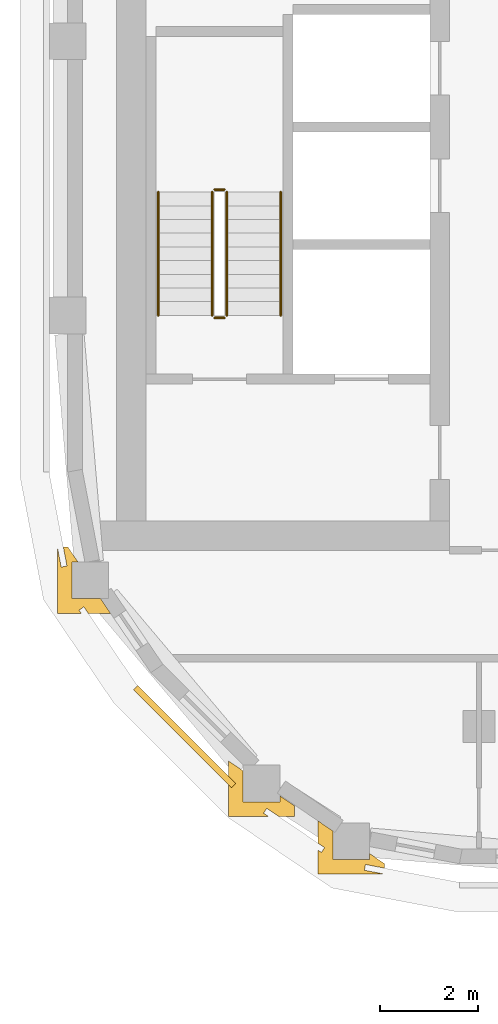
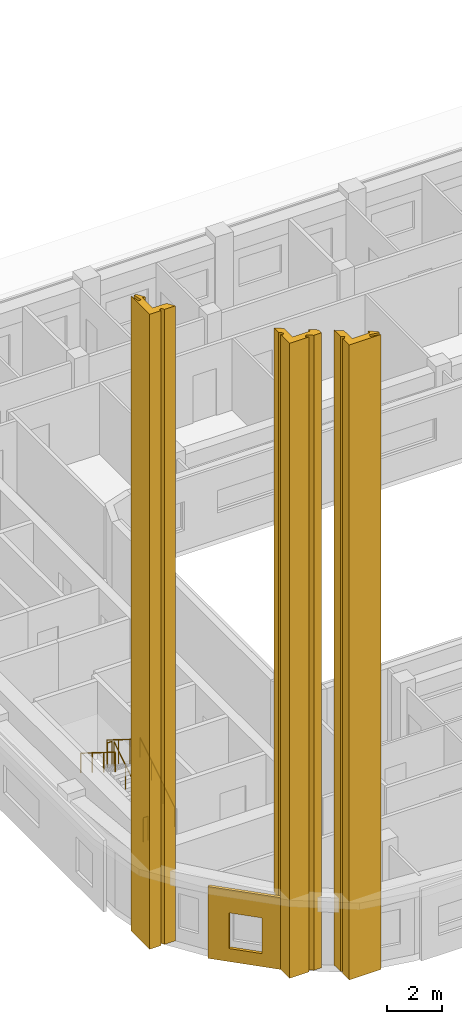
# One storey, part 9 of 15: 6 railings, 4 coverings.
"""IFC4 building model written with IfcOpenShell, lengths in metres."""

from ifc_helpers import new_model, si_unit, direction, frame, origin, origin_2d, place, context, subcontext, project, spatial, polyline, circle, outline, extrude, material, layer, layer_set, type_object, element, save


model = new_model("IFC4")

# Units and contexts
model_context = context("Model", 3, precision=1e-05, world=origin(), true_north=direction((0.0, 1.0)))
body_context = subcontext(model_context, "Body", "Model", "MODEL_VIEW")
ifc_project = project(units=[si_unit("LENGTHUNIT", "METRE"), si_unit("AREAUNIT", "SQUARE_METRE"), si_unit("VOLUMEUNIT", "CUBIC_METRE"), si_unit("PLANEANGLEUNIT", "RADIAN"), si_unit("MASSUNIT", "GRAM", prefix="KILO")], contexts=[model_context])

# Site, building, storey
site_placement = place(None, origin())
site = spatial("IfcSite", under=ifc_project, at=site_placement, CompositionType="ELEMENT")
building_placement = place(site_placement, origin())
building = spatial("IfcBuilding", under=site, at=building_placement, Name="Kiln Ring Residences", CompositionType="ELEMENT")
storey_placement = place(building_placement, frame((0.0, 0.0, 266.199951171875)))
storey = spatial("IfcBuildingStorey", under=building, at=storey_placement, Name="L69", CompositionType="ELEMENT", Elevation=266.199951171875)

# Railings
ifc_material_1 = material(Name="Stainless steel", Category="steel")
railing_type_1 = type_object("IfcRailingType", Name="CORE-STAIR-GUARD", PredefinedType="GUARDRAIL", material=ifc_material_1)
railing_1_placement = place(storey_placement, frame((-21.949951171875, -8.39990234375, 0.175048828125)))
element("IfcRailing", 1, at=railing_1_placement, inside=storey, type_object=railing_type_1, Name="L69 W-STS stair guard 1", PredefinedType="GUARDRAIL", context=body_context, shape_type="SweptSolid", body=[
    extrude(circle(Radius=0.02392578125, at=origin_2d()), frame((0.0, 0.0, 1.076171875), z_axis=(0.0, 0.848007534815, 0.529984170421), x_axis=(-1.0, 0.0, 0.0)), (0.0, 0.0, 1.0), 2.9716796875),
    extrude(circle(Radius=0.02099609375, at=origin_2d()), origin(), (0.0, 0.0, 1.0), 1.052001953125),
    extrude(circle(Radius=0.02099609375, at=origin_2d()), frame((0.0, 0.840087890625, 0.52490234375)), (0.0, 0.0, 1.0), 1.052001953125),
    extrude(circle(Radius=0.02099609375, at=origin_2d()), frame((0.0, 1.679931640625, 1.050048828125)), (0.0, 0.0, 1.0), 1.052001953125),
    extrude(circle(Radius=0.02099609375, at=origin_2d()), frame((0.0, 2.52001953125, 1.574951171875)), (0.0, 0.0, 1.0), 1.052001953125),
])
railing_2_placement = place(storey_placement, frame((-22.0, -5.830078125, 1.75)))
element("IfcRailing", 2, at=railing_2_placement, inside=storey, type_object=railing_type_1, Name="L69 W-STS stair guard 2", PredefinedType="GUARDRAIL", context=body_context, shape_type="SweptSolid", body=[
    extrude(circle(Radius=0.02392578125, at=origin_2d()), frame((0.0, 0.0, 1.076171875), z_axis=(-1.0, 0.0, 0.0), x_axis=(0.0, -1.0, 0.0)), (0.0, 0.0, 1.0), 0.199951171875),
    extrude(circle(Radius=0.02099609375, at=origin_2d()), origin(), (0.0, 0.0, 1.0), 1.052001953125),
    extrude(circle(Radius=0.02099609375, at=origin_2d()), frame((-0.199951171875, 0.0, 0.0)), (0.0, 0.0, 1.0), 1.052001953125),
])
railing_3_placement = place(storey_placement, frame((-22.25, -5.8798828125, 1.925048828125)))
element("IfcRailing", 3, at=railing_3_placement, inside=storey, type_object=railing_type_1, Name="L69 W-STS stair guard 3", PredefinedType="GUARDRAIL", context=body_context, shape_type="SweptSolid", body=[
    extrude(circle(Radius=0.02392578125, at=origin_2d()), frame((0.0, 0.0, 1.076171875), z_axis=(0.0, -0.848007534815, 0.529984170421), x_axis=(1.0, 0.0, 0.0)), (0.0, 0.0, 1.0), 2.9716796875),
    extrude(circle(Radius=0.02099609375, at=origin_2d()), origin(), (0.0, 0.0, 1.0), 1.052001953125),
    extrude(circle(Radius=0.02099609375, at=origin_2d()), frame((0.0, -0.840087890625, 0.52490234375)), (0.0, 0.0, 1.0), 1.052001953125),
    extrude(circle(Radius=0.02099609375, at=origin_2d()), frame((0.0, -1.679931640625, 1.050048828125)), (0.0, 0.0, 1.0), 1.052001953125),
    extrude(circle(Radius=0.02099609375, at=origin_2d()), frame((0.0, -2.52001953125, 1.574951171875)), (0.0, 0.0, 1.0), 1.052001953125),
])
railing_4_placement = place(storey_placement, frame((-22.0, -8.449951171875, 0.0)))
element("IfcRailing", 4, at=railing_4_placement, inside=storey, type_object=railing_type_1, Name="L69 W-STS stair guard 4", PredefinedType="GUARDRAIL", context=body_context, shape_type="SweptSolid", body=[
    extrude(circle(Radius=0.02392578125, at=origin_2d()), frame((0.0, 0.0, 1.076171875), z_axis=(-1.0, 0.0, 0.0), x_axis=(0.0, -1.0, 0.0)), (0.0, 0.0, 1.0), 0.199951171875),
    extrude(circle(Radius=0.02099609375, at=origin_2d()), origin(), (0.0, 0.0, 1.0), 1.052001953125),
    extrude(circle(Radius=0.02099609375, at=origin_2d()), frame((-0.199951171875, 0.0, 0.0)), (0.0, 0.0, 1.0), 1.052001953125),
])
ifc_material_2 = material(Name="Stainless steel", Category="steel")
railing_type_2 = type_object("IfcRailingType", Name="CORE-STAIR-HANDRAIL", PredefinedType="HANDRAIL", material=ifc_material_2)
railing_5_placement = place(storey_placement, frame((-20.85009765625, -8.39990234375, 0.175048828125)))
element("IfcRailing", 5, at=railing_5_placement, inside=storey, type_object=railing_type_2, Name="L69 W-STS stair handrail 1", PredefinedType="HANDRAIL", context=body_context, shape_type="SweptSolid", body=[
    extrude(circle(Radius=0.02392578125, at=origin_2d()), frame((0.0, 0.0, 0.8759765625), z_axis=(0.0, 0.848007534815, 0.529984170421), x_axis=(-1.0, 0.0, 0.0)), (0.0, 0.0, 1.0), 2.9716796875),
    extrude(circle(Radius=0.02099609375, at=origin_2d()), origin(), (0.0, 0.0, 1.0), 0.851806640625),
    extrude(circle(Radius=0.02099609375, at=origin_2d()), frame((0.0, 0.840087890625, 0.52490234375)), (0.0, 0.0, 1.0), 0.851806640625),
    extrude(circle(Radius=0.02099609375, at=origin_2d()), frame((0.0, 1.679931640625, 1.050048828125)), (0.0, 0.0, 1.0), 0.851806640625),
    extrude(circle(Radius=0.02099609375, at=origin_2d()), frame((0.0, 2.52001953125, 1.574951171875)), (0.0, 0.0, 1.0), 0.851806640625),
])
railing_6_placement = place(storey_placement, frame((-23.35009765625, -5.8798828125, 1.925048828125)))
element("IfcRailing", 6, at=railing_6_placement, inside=storey, type_object=railing_type_2, Name="L69 W-STS stair handrail 2", PredefinedType="HANDRAIL", context=body_context, shape_type="SweptSolid", body=[
    extrude(circle(Radius=0.02392578125, at=origin_2d()), frame((0.0, 0.0, 0.8759765625), z_axis=(0.0, -0.848007534815, 0.529984170421), x_axis=(1.0, 0.0, 0.0)), (0.0, 0.0, 1.0), 2.9716796875),
    extrude(circle(Radius=0.02099609375, at=origin_2d()), origin(), (0.0, 0.0, 1.0), 0.851806640625),
    extrude(circle(Radius=0.02099609375, at=origin_2d()), frame((0.0, -0.840087890625, 0.52490234375)), (0.0, 0.0, 1.0), 0.851806640625),
    extrude(circle(Radius=0.02099609375, at=origin_2d()), frame((0.0, -1.679931640625, 1.050048828125)), (0.0, 0.0, 1.0), 0.851806640625),
    extrude(circle(Radius=0.02099609375, at=origin_2d()), frame((0.0, -2.52001953125, 1.574951171875)), (0.0, 0.0, 1.0), 0.851806640625),
])

# Coverings
ifc_material_3 = material(Name="Brick masonry, dark clay brick", Category="masonry")
ifc_layer_1 = layer(ifc_material_3, 0.300048828125)
ifc_layer_set_1 = layer_set([ifc_layer_1], Name="PIER CLADDING 300")
covering_type_1 = type_object("IfcCoveringType", Name="PIER CLADDING 300", PredefinedType="CLADDING", material=ifc_layer_set_1)
placement = place(storey_placement, origin())
element("IfcCovering", 7, at=placement, inside=storey, type_object=covering_type_1, Name="PIER CLADDING L69-L75", PredefinedType="CLADDING", context=body_context, shape_type="SweptSolid", body=[
    extrude(outline(polyline([(-19.78369140625, -19.51318359375), (-19.78369140625, -18.931396484375), (-20.083740234375, -18.727294921875), (-20.083740234375, -19.18115234375), (-19.9521484375, -19.2705078125), (-20.01953125, -19.36962890625), (-20.083740234375, -19.325927734375), (-20.083740234375, -19.81298828125), (-18.733642578125, -19.81298828125), (-18.733642578125, -19.811279296875), (-19.140380859375, -19.733642578125), (-19.117919921875, -19.615966796875), (-18.733642578125, -19.689208984375), (-18.733642578125, -19.5966796875), (-19.03369140625, -19.39306640625), (-19.03369140625, -19.51318359375), (-19.78369140625, -19.51318359375)])), origin(), (0.0, 0.0, 1.0), 28.300048828125),
])
element("IfcCovering", 8, at=placement, inside=storey, type_object=covering_type_1, Name="PIER CLADDING L69-L75", PredefinedType="CLADDING", context=body_context, shape_type="SweptSolid", body=[
    extrude(outline(polyline([(-25.411376953125, -13.1337890625), (-25.4130859375, -13.1337890625), (-25.4130859375, -14.483642578125), (-24.92578125, -14.483642578125), (-24.969482421875, -14.41943359375), (-24.87060546875, -14.352294921875), (-24.781005859375, -14.483642578125), (-24.327392578125, -14.483642578125), (-24.53125, -14.18359375), (-25.113037109375, -14.18359375), (-25.113037109375, -13.43359375), (-24.992919921875, -13.43359375), (-25.19677734375, -13.1337890625), (-25.289306640625, -13.1337890625), (-25.216064453125, -13.51806640625), (-25.333740234375, -13.540283203125), (-25.411376953125, -13.1337890625)])), origin(), (0.0, 0.0, 1.0), 28.300048828125),
])
element("IfcCovering", 9, at=placement, inside=storey, type_object=covering_type_1, Name="PIER CLADDING L69-L75", PredefinedType="CLADDING", context=body_context, shape_type="SweptSolid", body=[
    extrude(outline(polyline([(-21.615234375, -17.704833984375), (-21.915283203125, -17.501220703125), (-21.915283203125, -17.815185546875), (-21.770751953125, -17.959716796875), (-21.85546875, -18.04443359375), (-21.915283203125, -17.984619140625), (-21.915283203125, -18.634765625), (-21.1005859375, -18.634765625), (-21.19970703125, -18.5673828125), (-21.13232421875, -18.468505859375), (-20.887451171875, -18.634765625), (-20.565185546875, -18.634765625), (-20.565185546875, -18.41845703125), (-20.865234375, -18.214599609375), (-20.865234375, -18.334716796875), (-21.615234375, -18.334716796875), (-21.615234375, -17.704833984375)])), origin(), (0.0, 0.0, 1.0), 28.300048828125),
])
ifc_material_4 = material(Name="Brick masonry, dark clay brick", Category="masonry")
ifc_layer_2 = layer(ifc_material_4, 0.1201171875)
ifc_layer_set_2 = layer_set([ifc_layer_2], Name="RAINSCREEN PANEL 120")
covering_type_2 = type_object("IfcCoveringType", Name="RAINSCREEN PANEL 120", PredefinedType="CLADDING", material=ifc_layer_set_2)
covering_4_placement = place(storey_placement, frame((-23.810546875, -16.004638671875, 0.0), z_axis=(0.0, 0.0, 1.0), x_axis=(0.707106781187, -0.707106781187, 0.0)))
element("IfcCovering", 10, at=covering_4_placement, inside=storey, type_object=covering_type_2, Name="RAINSCREEN L69", PredefinedType="CLADDING", context=body_context, shape_type="SweptSolid", body=[
    extrude(outline(polyline([(0.0, 0.0), (2.824951171875, 0.0), (2.824951171875, 3.199951171875), (0.0, 3.199951171875), (0.0, 0.0)]), holes=[polyline([(0.79248046875, 2.170166015625), (0.79248046875, 0.580078125), (2.032470703125, 0.580078125), (2.032470703125, 2.170166015625), (0.79248046875, 2.170166015625)])]), frame((0.0, 0.06005859375, 0.0), z_axis=(0.0, -1.0, 0.0), x_axis=(1.0, 0.0, 0.0)), (0.0, 0.0, 1.0), 0.1201171875),
])

save(model, "model.ifc")
